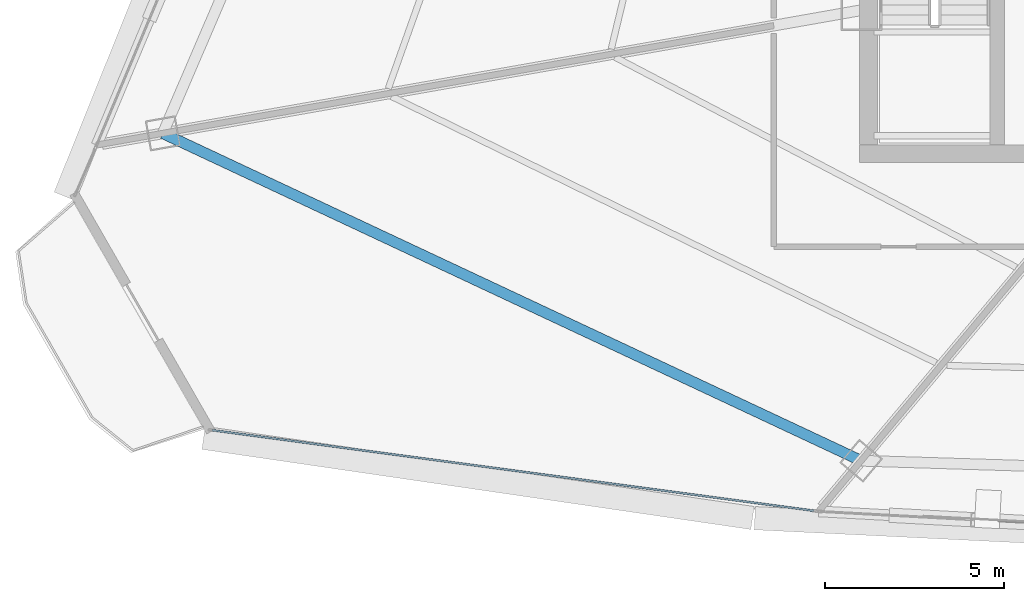
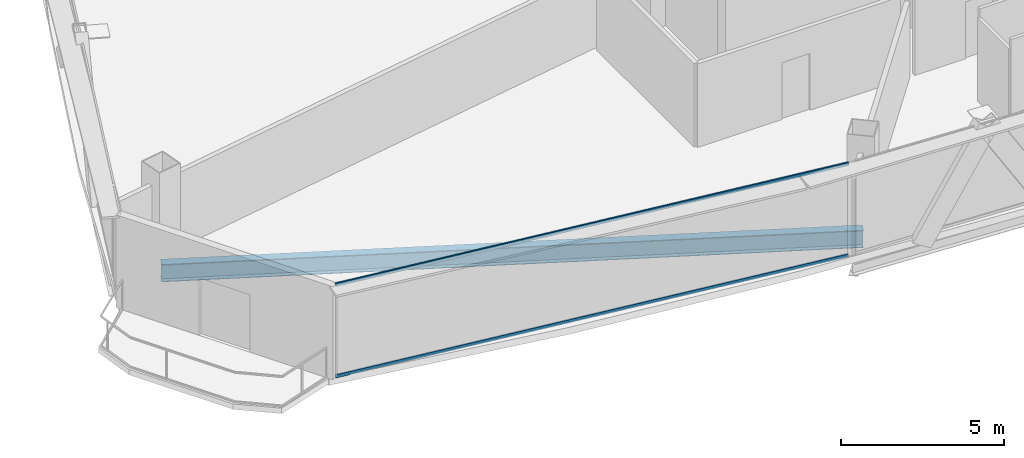
# One storey, part 3 of 37: 2 members, 1 beam, 1 element without a shape of its own.
"""IFC4 building model written with IfcOpenShell, lengths in metres."""

from ifc_helpers import new_model, si_unit, direction, frame, origin, origin_2d, place, context, subcontext, project, spatial, hollow_rectangle, i_section, extrude, source, transform, mapped, material, layer, layer_set, material_profile, profile_set, type_object, element, aggregate, save


model = new_model("IFC4")

# Units and contexts
model_context = context("Model", 3, precision=1e-05, world=origin(), true_north=direction((0.0, 1.0)))
body_context = subcontext(model_context, "Body", "Model", "MODEL_VIEW")
ifc_project = project(units=[si_unit("LENGTHUNIT", "METRE"), si_unit("AREAUNIT", "SQUARE_METRE"), si_unit("VOLUMEUNIT", "CUBIC_METRE"), si_unit("PLANEANGLEUNIT", "RADIAN"), si_unit("MASSUNIT", "GRAM", prefix="KILO"), si_unit("THERMODYNAMICTEMPERATUREUNIT", "KELVIN"), si_unit("POWERUNIT", "WATT")], contexts=[model_context])

# Site, building, storey
site_placement = place(None, origin())
site = spatial("IfcSite", under=ifc_project, at=site_placement, CompositionType="ELEMENT")
building_placement = place(site_placement, origin())
building = spatial("IfcBuilding", under=site, at=building_placement, Name="Yunzhuo Pagoda Commons", CompositionType="ELEMENT")
storey_placement = place(building_placement, frame((0.0, 0.0, 259.449951171875)))
storey = spatial("IfcBuildingStorey", under=building, at=storey_placement, Name="L65", CompositionType="ELEMENT", Elevation=259.449951171875)

# Beam
ifc_material_1 = material(Name="Structural steel Q355B", Category="steel")
ifc_material_profile_1 = material_profile(ifc_material_1, i_section(OverallWidth=0.300048828125, OverallDepth=0.64990234375, WebThickness=0.012939453125, FlangeThickness=0.02197265625, at=origin_2d()), Name="Structural steel Q355B")
ifc_profile_set_1 = profile_set([ifc_material_profile_1], Name="Structural steel Q355B")
beam_type = type_object("IfcBeamType", Name="B-RG2 Beam HN 650x300x13x22", PredefinedType="BEAM", material=ifc_profile_set_1)
shared_shape_1 = source(origin(), body_context, "Body", "SweptSolid", [
    extrude(i_section(OverallWidth=0.300048828125, OverallDepth=0.64990234375, WebThickness=0.012939453125, FlangeThickness=0.02197265625, at=origin_2d()), origin(), (0.0, 0.0, 1.0), 21.56689453125),
])
beam_placement = place(storey_placement, frame((16.06591796875, 28.069091796875, -0.5849609375), z_axis=(0.905424265365, -0.424507832304, 0.0), x_axis=(0.424507832304, 0.905424265365, 0.0)))
element("IfcBeam", 1, at=beam_placement, inside=storey, type_object=beam_type, Name="L65 column-ring beam 12", PredefinedType="BEAM", context=body_context, shape_type="MappedRepresentation", body=[
    mapped(shared_shape_1, transform((0.0, 0.0, 0.0), scale=1.0)),
])

# Curtain wall, members
ifc_material_2 = material(Name="Anodized aluminium 6063-T6", Category="aluminium")
ifc_layer = layer(ifc_material_2, 0.139892578125)
ifc_layer_set = layer_set([ifc_layer], Name="Anodized aluminium 6063-T6")
curtain_wall_type = type_object("IfcCurtainWallType", Name="CW-HI High-Zone Ribbon Curtain Wall", PredefinedType="NOTDEFINED", material=ifc_layer_set)
curtain_wall_placement = place(storey_placement, origin())
curtain_wall = element("IfcCurtainWall", 2, at=curtain_wall_placement, inside=storey, type_object=curtain_wall_type, Name="L65 curtain wall CW-L65-F1B1", PredefinedType="NOTDEFINED")
ifc_material_profile_2 = material_profile(ifc_material_2, hollow_rectangle(XDim=0.054931640625, YDim=0.1201171875, WallThickness=0.00341796875, at=origin_2d()), Name="Anodized aluminium 6063-T6")
ifc_profile_set_2 = profile_set([ifc_material_profile_2], Name="Anodized aluminium 6063-T6")
member_type = type_object("IfcMemberType", Name="CW-HI-T Transom RHS 120x55x3.5", PredefinedType="USERDEFINED", material=ifc_profile_set_2)
shared_shape_2 = source(origin(), body_context, "Body", "SweptSolid", [
    extrude(hollow_rectangle(XDim=0.054931640625, YDim=0.1201171875, WallThickness=0.00341796875, at=origin_2d()), origin(), (0.0, 0.0, 1.0), 16.98193359375),
])
member_1_placement = place(storey_placement, frame((17.43896484375, 19.7685546875, 0.027587890625), z_axis=(0.991158834011, -0.132680690992, 0.0), x_axis=(0.132680690992, 0.991158834011, 0.0)))
member_1 = element("IfcMember", 3, at=member_1_placement, type_object=member_type, Name="CW transom 1.1", ObjectType="TRANSOM", PredefinedType="USERDEFINED", context=body_context, shape_type="MappedRepresentation", body=[
    mapped(shared_shape_2, transform((0.0, 0.0, 0.0), scale=1.0)),
])
member_2_placement = place(storey_placement, frame((17.43896484375, 19.7685546875, 3.442626953125), z_axis=(0.991158834011, -0.132680690992, 0.0), x_axis=(0.132680690992, 0.991158834011, 0.0)))
member_2 = element("IfcMember", 4, at=member_2_placement, type_object=member_type, Name="CW transom 1.2", ObjectType="TRANSOM", PredefinedType="USERDEFINED", context=body_context, shape_type="MappedRepresentation", body=[
    mapped(shared_shape_2, transform((0.0, 0.0, 0.0), scale=1.0)),
])
aggregate(curtain_wall, [member_1, member_2])

save(model, "model.ifc")
